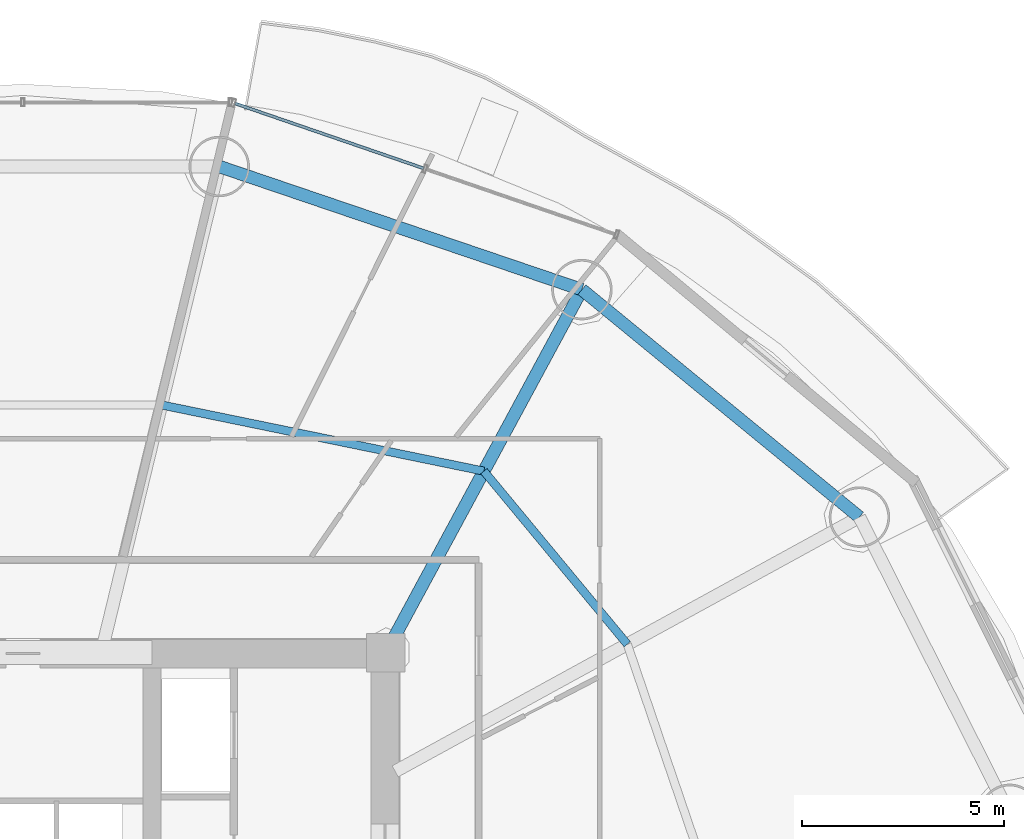
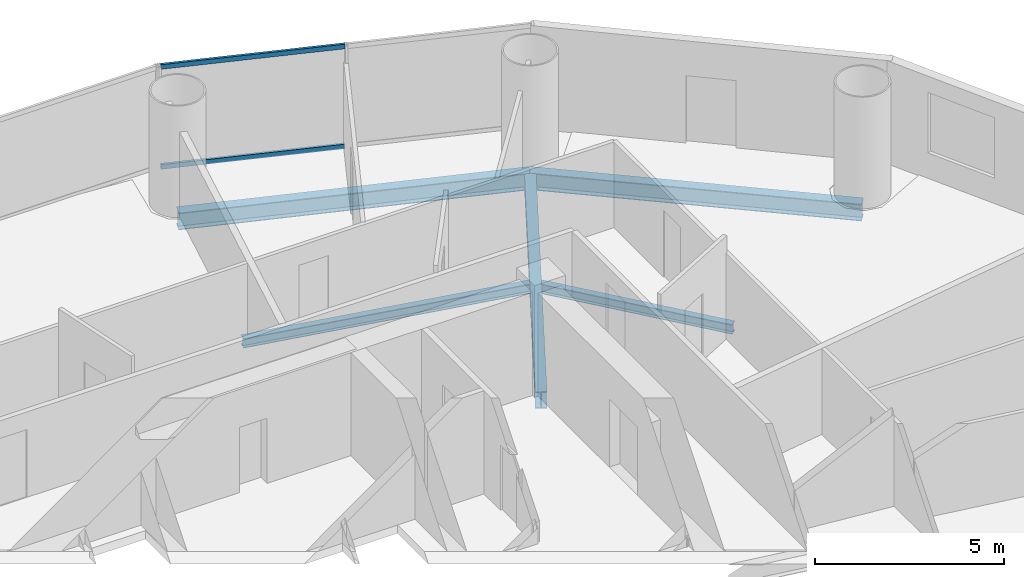
# One storey, part 19 of 29: 5 beams, 2 members, 1 element without a shape of its own.
"""IFC4 building model written with IfcOpenShell, lengths in metres."""

from ifc_helpers import new_model, si_unit, direction, frame, origin, origin_2d, place, context, subcontext, project, spatial, hollow_rectangle, i_section, extrude, source, transform, mapped, material, material_profile, profile_set, type_object, element, aggregate, save


model = new_model("IFC4")

# Units and contexts
model_context = context("Model", 3, precision=1e-05, world=origin(), true_north=direction((-0.2419218956, 0.970295726276)))
body_context = subcontext(model_context, "Body", "Model", "MODEL_VIEW")
ifc_project = project(units=[si_unit("LENGTHUNIT", "METRE"), si_unit("AREAUNIT", "SQUARE_METRE"), si_unit("VOLUMEUNIT", "CUBIC_METRE"), si_unit("PLANEANGLEUNIT", "RADIAN"), si_unit("MASSUNIT", "GRAM", prefix="KILO")], contexts=[model_context])

# Site, building, storey
site_placement = place(None, origin())
site = spatial("IfcSite", under=ifc_project, at=site_placement, CompositionType="ELEMENT")
building_placement = place(site_placement, origin())
building = spatial("IfcBuilding", under=site, at=building_placement, Name="Cobrevalo Terracotta Tower", CompositionType="ELEMENT")
storey_placement = place(building_placement, frame((0.0, 0.0, 123.0)))
storey = spatial("IfcBuildingStorey", under=building, at=storey_placement, Name="L32", CompositionType="ELEMENT", Elevation=123.0)

# Beams
ifc_material_1 = material(Name="Steel S355", Category="steel")
ifc_material_profile_1 = material_profile(ifc_material_1, i_section(OverallWidth=0.31201171875, OverallDepth=0.54296875, WebThickness=0.0126953125, FlangeThickness=0.020263671875, at=origin_2d()), Name="W 530x150")
ifc_profile_set_1 = profile_set([ifc_material_profile_1], Name="Steel S355")
beam_type_1 = type_object("IfcBeamType", Name="Structural Beam W 530x150 (Steel S355)", PredefinedType="BEAM", material=ifc_profile_set_1)
beam_1_placement = place(storey_placement, frame((51.861572265625, 43.803466796875, -0.54638671875), z_axis=(-0.475128224431, -0.879916570107, 0.0), x_axis=(0.879916570107, -0.475128224431, 0.0)))
element("IfcBeam", 1, at=beam_1_placement, inside=storey, type_object=beam_type_1, Name="L32 radial floor girder 03", PredefinedType="BEAM", context=body_context, shape_type="SweptSolid", body=[
    extrude(i_section(OverallWidth=0.31201171875, OverallDepth=0.54296875, WebThickness=0.0126953125, FlangeThickness=0.020263671875, at=origin_2d()), origin(), (0.0, 0.0, 1.0), 10.232177734375),
])
ifc_material_profile_2 = material_profile(ifc_material_1, i_section(OverallWidth=0.2041015625, OverallDepth=0.305908203125, WebThickness=0.008544921875, FlangeThickness=0.0146484375, at=origin_2d()), Name="W 310x67")
ifc_profile_set_2 = profile_set([ifc_material_profile_2], Name="Steel S355")
beam_type_2 = type_object("IfcBeamType", Name="Structural Joist W 310x67 (Steel S355)", PredefinedType="JOIST", material=ifc_profile_set_2)
beam_2_placement = place(storey_placement, frame((52.987548828125, 35.00830078125, -0.427978515625), z_axis=(-0.6379592588, 0.77007011636, 0.0), x_axis=(-0.77007011636, -0.6379592588, 0.0)))
element("IfcBeam", 2, at=beam_2_placement, inside=storey, type_object=beam_type_2, Name="L32 circumferential secondary floor joist 02", PredefinedType="JOIST", context=body_context, shape_type="SweptSolid", body=[
    extrude(i_section(OverallWidth=0.2041015625, OverallDepth=0.305908203125, WebThickness=0.008544921875, FlangeThickness=0.0146484375, at=origin_2d()), origin(), (0.0, 0.0, 1.0), 5.575439453125),
])
beam_3_placement = place(storey_placement, frame((49.4306640625, 39.3017578125, -0.427978515625), z_axis=(-0.979574469315, 0.201081722357, 0.0), x_axis=(-0.201081722357, -0.979574469315, 0.0)))
element("IfcBeam", 3, at=beam_3_placement, inside=storey, type_object=beam_type_2, Name="L32 circumferential secondary floor joist 03", PredefinedType="JOIST", context=body_context, shape_type="SweptSolid", body=[
    extrude(i_section(OverallWidth=0.2041015625, OverallDepth=0.305908203125, WebThickness=0.008544921875, FlangeThickness=0.0146484375, at=origin_2d()), origin(), (0.0, 0.0, 1.0), 8.1650390625),
])
ifc_material_profile_3 = material_profile(ifc_material_1, i_section(OverallWidth=0.31201171875, OverallDepth=0.54296875, WebThickness=0.0126953125, FlangeThickness=0.020263671875, at=origin_2d()), Name="W 530x150")
ifc_profile_set_3 = profile_set([ifc_material_profile_3], Name="Steel S355")
beam_type_3 = type_object("IfcBeamType", Name="Structural Spandrel W 530x150 (Steel S355)", PredefinedType="SPANDREL", material=ifc_profile_set_3)
beam_4_placement = place(storey_placement, frame((58.7451171875, 38.161376953125, -0.54638671875), z_axis=(-0.773400923541, 0.633917196064, 0.0), x_axis=(-0.633917196064, -0.773400923541, 0.0)))
element("IfcBeam", 4, at=beam_4_placement, inside=storey, type_object=beam_type_3, Name="L32 perimeter ring spandrel 02", PredefinedType="SPANDREL", context=body_context, shape_type="SweptSolid", body=[
    extrude(i_section(OverallWidth=0.31201171875, OverallDepth=0.54296875, WebThickness=0.0126953125, FlangeThickness=0.020263671875, at=origin_2d()), origin(), (0.0, 0.0, 1.0), 8.900390625),
])
beam_5_placement = place(storey_placement, frame((51.861572265625, 43.803466796875, -0.54638671875), z_axis=(-0.946910528816, 0.32149720126, 0.0), x_axis=(-0.32149720126, -0.946910528816, 0.0)))
element("IfcBeam", 5, at=beam_5_placement, inside=storey, type_object=beam_type_3, Name="L32 perimeter ring spandrel 03", PredefinedType="SPANDREL", context=body_context, shape_type="SweptSolid", body=[
    extrude(i_section(OverallWidth=0.31201171875, OverallDepth=0.54296875, WebThickness=0.0126953125, FlangeThickness=0.020263671875, at=origin_2d()), origin(), (0.0, 0.0, 1.0), 9.498291015625),
])

# Curtain wall, members
ifc_material_2 = material(Name="Anodized aluminium", Category="aluminium")
curtain_wall_type = type_object("IfcCurtainWallType", Name="Lower-tower unitised acoustic low-E curtain wall CW-U1", PredefinedType="NOTDEFINED", material=ifc_material_2)
curtain_wall_placement = place(storey_placement, origin())
curtain_wall = element("IfcCurtainWall", 6, at=curtain_wall_placement, inside=storey, type_object=curtain_wall_type, Name="L32 curtain wall CW-L32-S03", PredefinedType="NOTDEFINED")
ifc_material_profile_4 = material_profile(ifc_material_2, hollow_rectangle(XDim=0.074951171875, YDim=0.14990234375, WallThickness=0.00439453125, at=origin_2d()), Name="CWT 75x150")
ifc_profile_set_4 = profile_set([ifc_material_profile_4], Name="Anodized aluminium")
member_type = type_object("IfcMemberType", Name="Tower unitised aluminium transom 75x150", PredefinedType="USERDEFINED", material=ifc_profile_set_4)
shared_shape = source(origin(), body_context, "Body", "SweptSolid", [
    extrude(hollow_rectangle(XDim=0.074951171875, YDim=0.14990234375, WallThickness=0.00439453125, at=origin_2d()), origin(), (0.0, 0.0, 1.0), 4.944580078125),
])
member_1_placement = place(storey_placement, frame((47.934814453125, 46.811279296875, 0.050048828125), z_axis=(-0.945597859971, 0.32533780478, 0.0), x_axis=(-0.32533780478, -0.945597859971, 0.0)))
member_1 = element("IfcMember", 7, at=member_1_placement, type_object=member_type, Name="CW-L32-S03 transom B02-T1", ObjectType="TRANSOM", PredefinedType="USERDEFINED", context=body_context, shape_type="MappedRepresentation", body=[
    mapped(shared_shape, transform((0.0, 0.0, 0.0), scale=1.0)),
])
member_2_placement = place(storey_placement, frame((47.934814453125, 46.811279296875, 3.27490234375), z_axis=(-0.945597859971, 0.32533780478, 0.0), x_axis=(-0.32533780478, -0.945597859971, 0.0)))
member_2 = element("IfcMember", 8, at=member_2_placement, type_object=member_type, Name="CW-L32-S03 transom B02-T2", ObjectType="TRANSOM", PredefinedType="USERDEFINED", context=body_context, shape_type="MappedRepresentation", body=[
    mapped(shared_shape, transform((0.0, 0.0, 0.0), scale=1.0)),
])
aggregate(curtain_wall, [member_1, member_2])

save(model, "model.ifc")
